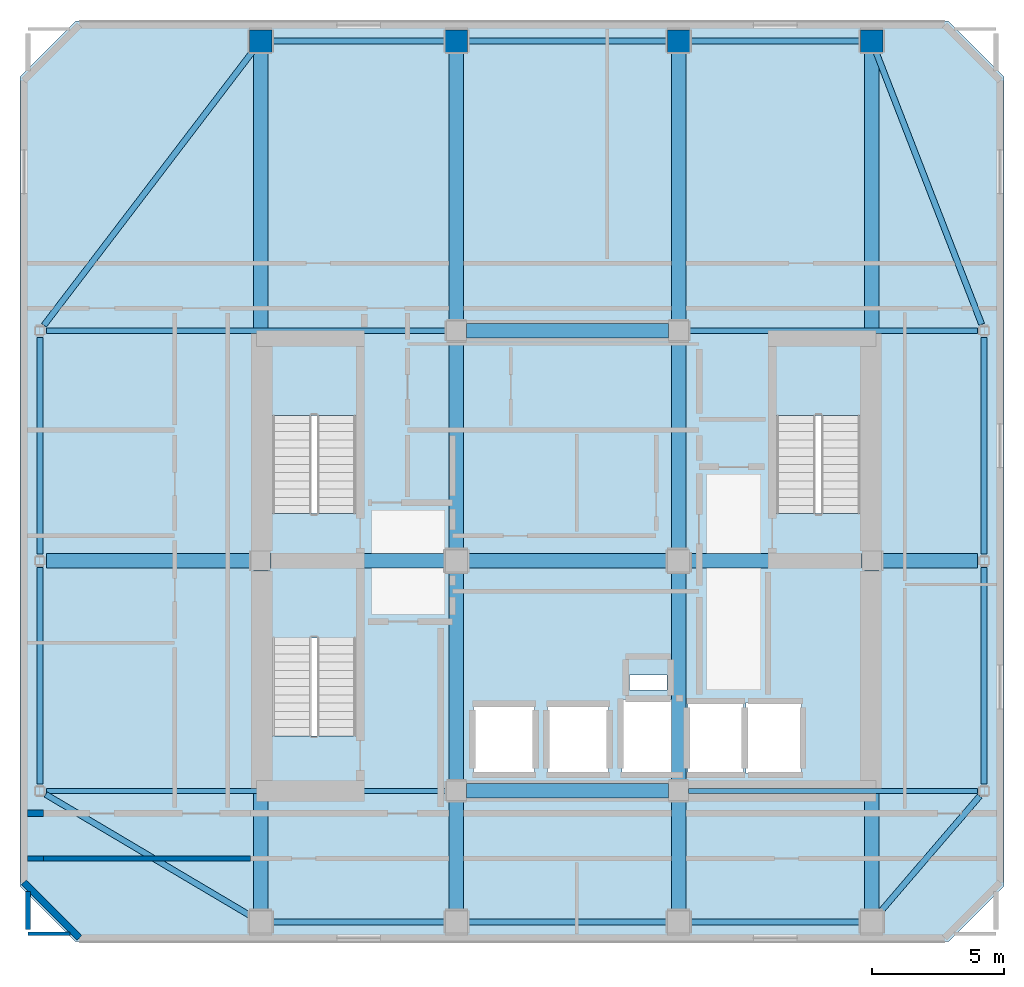
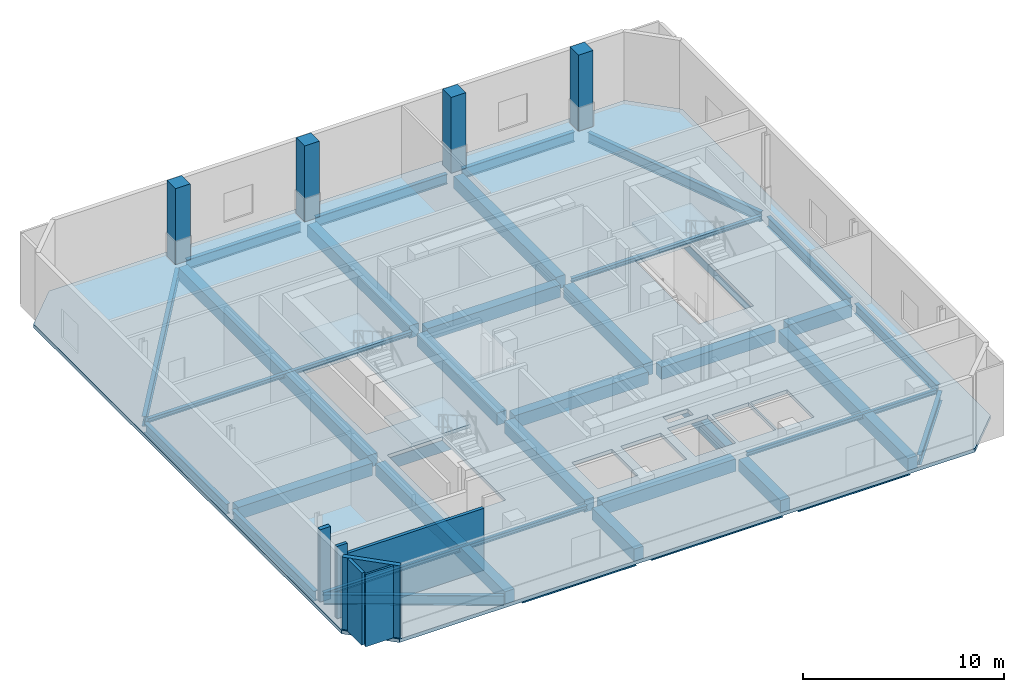
# One storey, part 3 of 10: 37 beams, 6 walls, 4 columns, 4 slabs, 3 elements without a shape of their own.
"""IFC4 building model written with IfcOpenShell, lengths in metres."""

from ifc_helpers import new_model, si_unit, direction, frame, frame_2d, origin, origin_2d, place, context, subcontext, project, spatial, polyline, rectangle, i_section, outline, extrude, material, layer, layer_set, material_profile, profile_set, type_object, element, aggregate, save


model = new_model("IFC4")

# Units and contexts
model_context = context("Model", 3, precision=1e-05, world=origin(), true_north=direction((0.0, 1.0)))
body_context = subcontext(model_context, "Body", "Model", "MODEL_VIEW")
ifc_project = project(units=[si_unit("LENGTHUNIT", "METRE"), si_unit("AREAUNIT", "SQUARE_METRE"), si_unit("VOLUMEUNIT", "CUBIC_METRE"), si_unit("PLANEANGLEUNIT", "RADIAN"), si_unit("MASSUNIT", "GRAM", prefix="KILO")], contexts=[model_context])

# Site, building, storey
site_placement = place(None, origin())
site = spatial("IfcSite", under=ifc_project, at=site_placement, CompositionType="ELEMENT")
building_placement = place(site_placement, origin())
building = spatial("IfcBuilding", under=site, at=building_placement, Name="Solanera Arch Residences", CompositionType="ELEMENT")
storey_placement = place(building_placement, frame((0.0, 0.0, 268.8798828125)))
storey = spatial("IfcBuildingStorey", under=building, at=storey_placement, Name="L78", CompositionType="ELEMENT", Elevation=268.8798828125)

# Columns
ifc_material_1 = material(Name="Concrete C40/50 (f'c = 45 MPa)", Category="concrete")
ifc_material_profile_1 = material_profile(ifc_material_1, rectangle(XDim=0.85009765625, YDim=0.85009765625, at=origin_2d()))
ifc_profile_set_1 = profile_set([ifc_material_profile_1], Name="Concrete C40/50 (f'c = 45 MPa)")
column_type = type_object("IfcColumnType", Name="Structural Column RC-COL-850X850", PredefinedType="COLUMN", material=ifc_profile_set_1)
for number, where, z_axis, x_axis, name in (
    (1, (13.39990234375, 50.35009765625, 0.0), (0.0, 0.0, 1.0), (1.0, 0.0, 0.0), "COL-L78-TWR-02"),
    (2, (20.800048828125, 50.35009765625, 0.0), (0.0, 0.0, 1.0), (1.0, 0.0, 0.0), "COL-L78-TWR-04"),
    (3, (29.199951171875, 50.35009765625, 0.0), (0.0, 0.0, 1.0), (1.0, 0.0, 0.0), "COL-L78-TWR-06"),
    (4, (36.5, 50.35009765625, 0.0), (0.0, 0.0, 1.0), (1.0, 0.0, 0.0), "COL-L78-TWR-08"),
):
    element("IfcColumn", number, at=place(storey_placement, frame(where, z_axis=z_axis, x_axis=x_axis)), inside=storey, type_object=column_type, Name=name, PredefinedType="COLUMN", context=body_context, shape_type="SweptSolid", body=[
        extrude(rectangle(XDim=0.85009765625, YDim=0.85009765625, at=origin_2d()), origin(), (0.0, 0.0, 1.0), 4.60009765625),
    ])

# Beams
ifc_material_2 = material(Name="Concrete C40/50 (f'c = 45 MPa)", Category="concrete")
ifc_material_profile_2 = material_profile(ifc_material_2, rectangle(XDim=0.550048828125, YDim=0.75, at=origin_2d()))
ifc_profile_set_2 = profile_set([ifc_material_profile_2], Name="Concrete C40/50 (f'c = 45 MPa)")
beam_type_1 = type_object("IfcBeamType", Name="Primary Beam RC-BM-550X750", PredefinedType="BEAM", material=ifc_profile_set_2)
beam_1_placement = place(storey_placement, frame((20.800048828125, 22.37890625, -0.594970703125), z_axis=(0.0, 1.0, 0.0), x_axis=(-1.0, 0.0, 0.0)))
element("IfcBeam", 5, at=beam_1_placement, inside=storey, type_object=beam_type_1, Name="BM-L78-CC-S-208", PredefinedType="BEAM", context=body_context, shape_type="SweptSolid", body=[
    extrude(rectangle(XDim=0.550048828125, YDim=0.75, at=origin_2d()), origin(), (0.0, 0.0, 1.0), 7.942138671875),
])
beam_2_placement = place(storey_placement, frame((20.800048828125, 31.0791015625, -0.594970703125), z_axis=(0.0, 1.0, 0.0), x_axis=(-1.0, 0.0, 0.0)))
element("IfcBeam", 6, at=beam_2_placement, inside=storey, type_object=beam_type_1, Name="BM-L78-CC-N-208", PredefinedType="BEAM", context=body_context, shape_type="SweptSolid", body=[
    extrude(rectangle(XDim=0.550048828125, YDim=0.75, at=origin_2d()), origin(), (0.0, 0.0, 1.0), 7.94189453125),
])
beam_3_placement = place(storey_placement, frame((29.199951171875, 22.37890625, -0.594970703125), z_axis=(0.0, 1.0, 0.0), x_axis=(-1.0, 0.0, 0.0)))
element("IfcBeam", 7, at=beam_3_placement, inside=storey, type_object=beam_type_1, Name="BM-L78-CC-S-292", PredefinedType="BEAM", context=body_context, shape_type="SweptSolid", body=[
    extrude(rectangle(XDim=0.550048828125, YDim=0.75, at=origin_2d()), origin(), (0.0, 0.0, 1.0), 7.942138671875),
])
beam_4_placement = place(storey_placement, frame((29.199951171875, 31.0791015625, -0.594970703125), z_axis=(0.0, 1.0, 0.0), x_axis=(-1.0, 0.0, 0.0)))
element("IfcBeam", 8, at=beam_4_placement, inside=storey, type_object=beam_type_1, Name="BM-L78-CC-N-292", PredefinedType="BEAM", context=body_context, shape_type="SweptSolid", body=[
    extrude(rectangle(XDim=0.550048828125, YDim=0.75, at=origin_2d()), origin(), (0.0, 0.0, 1.0), 7.94189453125),
])
for number, where, z_axis, x_axis, name in (
    (9, (21.178955078125, 22.0, -0.594970703125), (1.0, 0.0, 0.0), (0.0, 1.0, 0.0), "BM-L78-CC-M-220"),
    (10, (21.178955078125, 30.699951171875, -0.594970703125), (1.0, 0.0, 0.0), (0.0, 1.0, 0.0), "BM-L78-CC-M-307"),
    (11, (21.178955078125, 39.39990234375, -0.594970703125), (1.0, 0.0, 0.0), (0.0, 1.0, 0.0), "BM-L78-CC-M-394"),
):
    element("IfcBeam", number, at=place(storey_placement, frame(where, z_axis=z_axis, x_axis=x_axis)), inside=storey, type_object=beam_type_1, Name=name, PredefinedType="BEAM", context=body_context, shape_type="SweptSolid", body=[
        extrude(rectangle(XDim=0.550048828125, YDim=0.75, at=origin_2d()), origin(), (0.0, 0.0, 1.0), 7.64208984375),
    ])
beam_5_placement = place(storey_placement, frame((13.779052734375, 30.699951171875, -0.594970703125), z_axis=(1.0, 0.0, 0.0), x_axis=(0.0, 1.0, 0.0)))
element("IfcBeam", 12, at=beam_5_placement, inside=storey, type_object=beam_type_1, Name="BM-L78-CC-W", PredefinedType="BEAM", context=body_context, shape_type="SweptSolid", body=[
    extrude(rectangle(XDim=0.550048828125, YDim=0.75, at=origin_2d()), origin(), (0.0, 0.0, 1.0), 6.641845703125),
])
beam_6_placement = place(storey_placement, frame((29.5791015625, 30.699951171875, -0.594970703125), z_axis=(1.0, 0.0, 0.0), x_axis=(0.0, 1.0, 0.0)))
element("IfcBeam", 13, at=beam_6_placement, inside=storey, type_object=beam_type_1, Name="BM-L78-CC-E", PredefinedType="BEAM", context=body_context, shape_type="SweptSolid", body=[
    extrude(rectangle(XDim=0.550048828125, YDim=0.75, at=origin_2d()), origin(), (0.0, 0.0, 1.0), 6.5419921875),
])
beam_7_placement = place(storey_placement, frame((20.800048828125, 17.47900390625, -0.594970703125), z_axis=(0.0, 1.0, 0.0), x_axis=(-1.0, 0.0, 0.0)))
element("IfcBeam", 14, at=beam_7_placement, inside=storey, type_object=beam_type_1, Name="BM-L78-RAD-S-208", PredefinedType="BEAM", context=body_context, shape_type="SweptSolid", body=[
    extrude(rectangle(XDim=0.550048828125, YDim=0.75, at=origin_2d()), origin(), (0.0, 0.0, 1.0), 4.14208984375),
])
beam_8_placement = place(storey_placement, frame((20.800048828125, 39.779052734375, -0.594970703125), z_axis=(0.0, 1.0, 0.0), x_axis=(-1.0, 0.0, 0.0)))
element("IfcBeam", 15, at=beam_8_placement, inside=storey, type_object=beam_type_1, Name="BM-L78-RAD-N-208", PredefinedType="BEAM", context=body_context, shape_type="SweptSolid", body=[
    extrude(rectangle(XDim=0.550048828125, YDim=0.75, at=origin_2d()), origin(), (0.0, 0.0, 1.0), 10.141845703125),
])
beam_9_placement = place(storey_placement, frame((29.199951171875, 17.47900390625, -0.594970703125), z_axis=(0.0, 1.0, 0.0), x_axis=(-1.0, 0.0, 0.0)))
element("IfcBeam", 16, at=beam_9_placement, inside=storey, type_object=beam_type_1, Name="BM-L78-RAD-S-292", PredefinedType="BEAM", context=body_context, shape_type="SweptSolid", body=[
    extrude(rectangle(XDim=0.550048828125, YDim=0.75, at=origin_2d()), origin(), (0.0, 0.0, 1.0), 4.14208984375),
])
beam_10_placement = place(storey_placement, frame((29.199951171875, 39.779052734375, -0.594970703125), z_axis=(0.0, 1.0, 0.0), x_axis=(-1.0, 0.0, 0.0)))
element("IfcBeam", 17, at=beam_10_placement, inside=storey, type_object=beam_type_1, Name="BM-L78-RAD-N-292", PredefinedType="BEAM", context=body_context, shape_type="SweptSolid", body=[
    extrude(rectangle(XDim=0.550048828125, YDim=0.75, at=origin_2d()), origin(), (0.0, 0.0, 1.0), 10.141845703125),
])
beam_11_placement = place(storey_placement, frame((13.39990234375, 17.47900390625, -0.594970703125), z_axis=(0.0, 1.0, 0.0), x_axis=(-1.0, 0.0, 0.0)))
element("IfcBeam", 18, at=beam_11_placement, inside=storey, type_object=beam_type_1, Name="BM-L78-RAD-OS-134", PredefinedType="BEAM", context=body_context, shape_type="SweptSolid", body=[
    extrude(rectangle(XDim=0.550048828125, YDim=0.75, at=origin_2d()), origin(), (0.0, 0.0, 1.0), 12.842041015625),
])
beam_12_placement = place(storey_placement, frame((13.39990234375, 31.0791015625, -0.594970703125), z_axis=(0.0, 1.0, 0.0), x_axis=(-1.0, 0.0, 0.0)))
element("IfcBeam", 19, at=beam_12_placement, inside=storey, type_object=beam_type_1, Name="BM-L78-RAD-ON-134", PredefinedType="BEAM", context=body_context, shape_type="SweptSolid", body=[
    extrude(rectangle(XDim=0.550048828125, YDim=0.75, at=origin_2d()), origin(), (0.0, 0.0, 1.0), 18.841796875),
])
beam_13_placement = place(storey_placement, frame((36.5, 17.47900390625, -0.594970703125), z_axis=(0.0, 1.0, 0.0), x_axis=(-1.0, 0.0, 0.0)))
element("IfcBeam", 20, at=beam_13_placement, inside=storey, type_object=beam_type_1, Name="BM-L78-RAD-OS-365", PredefinedType="BEAM", context=body_context, shape_type="SweptSolid", body=[
    extrude(rectangle(XDim=0.550048828125, YDim=0.75, at=origin_2d()), origin(), (0.0, 0.0, 1.0), 12.842041015625),
])
beam_14_placement = place(storey_placement, frame((36.5, 31.0791015625, -0.594970703125), z_axis=(0.0, 1.0, 0.0), x_axis=(-1.0, 0.0, 0.0)))
element("IfcBeam", 21, at=beam_14_placement, inside=storey, type_object=beam_type_1, Name="BM-L78-RAD-ON-365", PredefinedType="BEAM", context=body_context, shape_type="SweptSolid", body=[
    extrude(rectangle(XDim=0.550048828125, YDim=0.75, at=origin_2d()), origin(), (0.0, 0.0, 1.0), 18.841796875),
])
beam_15_placement = place(storey_placement, frame((5.31005859375, 30.699951171875, -0.594970703125), z_axis=(1.0, 0.0, 0.0), x_axis=(0.0, 1.0, 0.0)))
element("IfcBeam", 22, at=beam_15_placement, inside=storey, type_object=beam_type_1, Name="BM-L78-RAD-MW", PredefinedType="BEAM", context=body_context, shape_type="SweptSolid", body=[
    extrude(rectangle(XDim=0.550048828125, YDim=0.75, at=origin_2d()), origin(), (0.0, 0.0, 1.0), 7.7109375),
])
beam_16_placement = place(storey_placement, frame((36.87890625, 30.699951171875, -0.594970703125), z_axis=(1.0, 0.0, 0.0), x_axis=(0.0, 1.0, 0.0)))
element("IfcBeam", 23, at=beam_16_placement, inside=storey, type_object=beam_type_1, Name="BM-L78-RAD-ME", PredefinedType="BEAM", context=body_context, shape_type="SweptSolid", body=[
    extrude(rectangle(XDim=0.550048828125, YDim=0.75, at=origin_2d()), origin(), (0.0, 0.0, 1.0), 3.611083984375),
])
ifc_material_3 = material(Name="Steel S355 (ASTM A992 / A572 Grade 50)", Category="steel")
ifc_material_profile_3 = material_profile(ifc_material_3, i_section(OverallWidth=0.201904296875, OverallDepth=0.2470703125, WebThickness=0.00732421875, FlangeThickness=0.010986328125, at=origin_2d()))
ifc_profile_set_3 = profile_set([ifc_material_profile_3], Name="Steel S355 (ASTM A992 / A572 Grade 50)")
beam_type_2 = type_object("IfcBeamType", Name="Secondary Joist W250X49.1", PredefinedType="JOIST", material=ifc_profile_set_3)
beam_17_placement = place(storey_placement, frame((5.31005859375, 22.0, -0.3427734375), z_axis=(1.0, 0.0, 0.0), x_axis=(0.0, 1.0, 0.0)))
element("IfcBeam", 24, at=beam_17_placement, inside=storey, type_object=beam_type_2, Name="BM-L78-RAD-W-220", PredefinedType="JOIST", context=body_context, shape_type="SweptSolid", body=[
    extrude(i_section(OverallWidth=0.201904296875, OverallDepth=0.2470703125, WebThickness=0.00732421875, FlangeThickness=0.010986328125, at=origin_2d()), origin(), (0.0, 0.0, 1.0), 15.11083984375),
])
beam_18_placement = place(storey_placement, frame((29.5791015625, 22.0, -0.3427734375), z_axis=(1.0, 0.0, 0.0), x_axis=(0.0, 1.0, 0.0)))
element("IfcBeam", 25, at=beam_18_placement, inside=storey, type_object=beam_type_2, Name="BM-L78-RAD-E-220", PredefinedType="JOIST", context=body_context, shape_type="SweptSolid", body=[
    extrude(i_section(OverallWidth=0.201904296875, OverallDepth=0.2470703125, WebThickness=0.00732421875, FlangeThickness=0.010986328125, at=origin_2d()), origin(), (0.0, 0.0, 1.0), 10.910888671875),
])
beam_19_placement = place(storey_placement, frame((5.31005859375, 39.39990234375, -0.3427734375), z_axis=(1.0, 0.0, 0.0), x_axis=(0.0, 1.0, 0.0)))
element("IfcBeam", 26, at=beam_19_placement, inside=storey, type_object=beam_type_2, Name="BM-L78-RAD-W-394", PredefinedType="JOIST", context=body_context, shape_type="SweptSolid", body=[
    extrude(i_section(OverallWidth=0.201904296875, OverallDepth=0.2470703125, WebThickness=0.00732421875, FlangeThickness=0.010986328125, at=origin_2d()), origin(), (0.0, 0.0, 1.0), 15.11083984375),
])
beam_20_placement = place(storey_placement, frame((29.5791015625, 39.39990234375, -0.3427734375), z_axis=(1.0, 0.0, 0.0), x_axis=(0.0, 1.0, 0.0)))
element("IfcBeam", 27, at=beam_20_placement, inside=storey, type_object=beam_type_2, Name="BM-L78-RAD-E-394", PredefinedType="JOIST", context=body_context, shape_type="SweptSolid", body=[
    extrude(i_section(OverallWidth=0.201904296875, OverallDepth=0.2470703125, WebThickness=0.00732421875, FlangeThickness=0.010986328125, at=origin_2d()), origin(), (0.0, 0.0, 1.0), 10.910888671875),
])
ifc_material_4 = material(Name="Steel S355 (ASTM A992 / A572 Grade 50)", Category="steel")
ifc_material_profile_4 = material_profile(ifc_material_4, i_section(OverallWidth=0.22802734375, OverallDepth=0.60791015625, WebThickness=0.01123046875, FlangeThickness=0.017333984375, at=origin_2d()))
ifc_profile_set_4 = profile_set([ifc_material_profile_4], Name="Steel S355 (ASTM A992 / A572 Grade 50)")
beam_type_3 = type_object("IfcBeamType", Name="Spandrel Beam W610X113", PredefinedType="SPANDREL", material=ifc_profile_set_4)
for number, where, z_axis, x_axis, name in (
    (28, (13.8291015625, 17.050048828125, -0.52392578125), (1.0, 0.0, 0.0), (0.0, 1.0, 0.0), "BM-L78-SPN-S-1"),
    (29, (13.8291015625, 50.35009765625, -0.52392578125), (1.0, 0.0, 0.0), (0.0, 1.0, 0.0), "BM-L78-SPN-N-1"),
):
    element("IfcBeam", number, at=place(storey_placement, frame(where, z_axis=z_axis, x_axis=x_axis)), inside=storey, type_object=beam_type_3, Name=name, PredefinedType="SPANDREL", context=body_context, shape_type="SweptSolid", body=[
        extrude(i_section(OverallWidth=0.22802734375, OverallDepth=0.60791015625, WebThickness=0.01123046875, FlangeThickness=0.017333984375, at=origin_2d()), origin(), (0.0, 0.0, 1.0), 6.5419921875),
    ])
for number, where, z_axis, x_axis, name in (
    (30, (21.22900390625, 17.050048828125, -0.52392578125), (1.0, 0.0, 0.0), (0.0, 1.0, 0.0), "BM-L78-SPN-S-2"),
    (31, (21.22900390625, 50.35009765625, -0.52392578125), (1.0, 0.0, 0.0), (0.0, 1.0, 0.0), "BM-L78-SPN-N-2"),
):
    element("IfcBeam", number, at=place(storey_placement, frame(where, z_axis=z_axis, x_axis=x_axis)), inside=storey, type_object=beam_type_3, Name=name, PredefinedType="SPANDREL", context=body_context, shape_type="SweptSolid", body=[
        extrude(i_section(OverallWidth=0.22802734375, OverallDepth=0.60791015625, WebThickness=0.01123046875, FlangeThickness=0.017333984375, at=origin_2d()), origin(), (0.0, 0.0, 1.0), 7.5419921875),
    ])
for number, where, z_axis, x_axis, name in (
    (32, (29.62890625, 17.050048828125, -0.52392578125), (1.0, 0.0, 0.0), (0.0, 1.0, 0.0), "BM-L78-SPN-S-3"),
    (33, (29.62890625, 50.35009765625, -0.52392578125), (1.0, 0.0, 0.0), (0.0, 1.0, 0.0), "BM-L78-SPN-N-3"),
):
    element("IfcBeam", number, at=place(storey_placement, frame(where, z_axis=z_axis, x_axis=x_axis)), inside=storey, type_object=beam_type_3, Name=name, PredefinedType="SPANDREL", context=body_context, shape_type="SweptSolid", body=[
        extrude(i_section(OverallWidth=0.22802734375, OverallDepth=0.60791015625, WebThickness=0.01123046875, FlangeThickness=0.017333984375, at=origin_2d()), origin(), (0.0, 0.0, 1.0), 6.442138671875),
    ])
for number, where, z_axis, x_axis, name in (
    (34, (5.050048828125, 22.260009765625, -0.52392578125), (0.0, 1.0, 0.0), (-1.0, 0.0, 0.0), "BM-L78-SPN-W-1"),
    (35, (40.75, 22.260009765625, -0.52392578125), (0.0, 1.0, 0.0), (-1.0, 0.0, 0.0), "BM-L78-SPN-E-1"),
    (36, (5.050048828125, 30.9599609375, -0.52392578125), (0.0, 1.0, 0.0), (-1.0, 0.0, 0.0), "BM-L78-SPN-W-2"),
    (37, (40.75, 30.9599609375, -0.52392578125), (0.0, 1.0, 0.0), (-1.0, 0.0, 0.0), "BM-L78-SPN-E-2"),
):
    element("IfcBeam", number, at=place(storey_placement, frame(where, z_axis=z_axis, x_axis=x_axis)), inside=storey, type_object=beam_type_3, Name=name, PredefinedType="SPANDREL", context=body_context, shape_type="SweptSolid", body=[
        extrude(i_section(OverallWidth=0.22802734375, OverallDepth=0.60791015625, WebThickness=0.01123046875, FlangeThickness=0.017333984375, at=origin_2d()), origin(), (0.0, 0.0, 1.0), 8.179931640625),
    ])
beam_21_placement = place(storey_placement, frame((12.971923828125, 17.303955078125, -0.52392578125), z_axis=(-0.860232144205, 0.509902596657, 0.0), x_axis=(-0.509902596657, -0.860232144205, 0.0)))
element("IfcBeam", 38, at=beam_21_placement, inside=storey, type_object=beam_type_3, Name="BM-L78-SPN-SW", PredefinedType="SPANDREL", context=body_context, shape_type="SweptSolid", body=[
    extrude(i_section(OverallWidth=0.22802734375, OverallDepth=0.60791015625, WebThickness=0.01123046875, FlangeThickness=0.017333984375, at=origin_2d()), origin(), (0.0, 0.0, 1.0), 8.94873046875),
])
beam_22_placement = place(storey_placement, frame((13.072998046875, 49.922119140625, -0.52392578125), z_axis=(-0.606326143544, -0.795216076079, 0.0), x_axis=(0.795216076079, -0.606326143544, 0.0)))
element("IfcBeam", 39, at=beam_22_placement, inside=storey, type_object=beam_type_3, Name="BM-L78-SPN-NW", PredefinedType="SPANDREL", context=body_context, shape_type="SweptSolid", body=[
    extrude(i_section(OverallWidth=0.22802734375, OverallDepth=0.60791015625, WebThickness=0.01123046875, FlangeThickness=0.017333984375, at=origin_2d()), origin(), (0.0, 0.0, 1.0), 12.971435546875),
])
beam_23_placement = place(storey_placement, frame((36.867919921875, 17.47802734375, -0.52392578125), z_axis=(0.651401364712, 0.758733327363, 0.0), x_axis=(-0.758733327363, 0.651401364712, 0.0)))
element("IfcBeam", 40, at=beam_23_placement, inside=storey, type_object=beam_type_3, Name="BM-L78-SPN-SE", PredefinedType="SPANDREL", context=body_context, shape_type="SweptSolid", body=[
    extrude(i_section(OverallWidth=0.22802734375, OverallDepth=0.60791015625, WebThickness=0.01123046875, FlangeThickness=0.017333984375, at=origin_2d()), origin(), (0.0, 0.0, 1.0), 5.7001953125),
])
beam_24_placement = place(storey_placement, frame((36.666015625, 49.9208984375, -0.52392578125), z_axis=(0.361869189773, -0.932228882568, 0.0), x_axis=(0.932228882568, 0.361869189773, 0.0)))
element("IfcBeam", 41, at=beam_24_placement, inside=storey, type_object=beam_type_3, Name="BM-L78-SPN-NE", PredefinedType="SPANDREL", context=body_context, shape_type="SweptSolid", body=[
    extrude(i_section(OverallWidth=0.22802734375, OverallDepth=0.60791015625, WebThickness=0.01123046875, FlangeThickness=0.017333984375, at=origin_2d()), origin(), (0.0, 0.0, 1.0), 11.026123046875),
])

# Stair, slab
ifc_material_5 = material(Name="Concrete C40/50 (f'c = 45 MPa)", Category="concrete")
stair_type = type_object("IfcStairType", Name="Tower Dogleg Exit Stair 1480", PredefinedType="HALF_TURN_STAIR", material=ifc_material_5)
stair_1_placement = place(storey_placement, origin())
stair_1 = element("IfcStair", 42, at=stair_1_placement, inside=storey, type_object=stair_type, Name="L78 Tower Core Exit Stair 1", PredefinedType="HALF_TURN_STAIR")
ifc_material_6 = material(Name="Concrete C40/50 (f'c = 45 MPa)", Category="concrete")
ifc_layer_1 = layer(ifc_material_6, 0.199951171875)
ifc_layer_set_1 = layer_set([ifc_layer_1], Name="Concrete C40/50 (f'c = 45 MPa)")
slab_type_1 = type_object("IfcSlabType", Name="Stair Half-Landing Slab 200", PredefinedType="LANDING", material=ifc_layer_set_1)
slab_1_placement = place(storey_placement, frame((0.0, 0.0, 2.10009765625)))
slab_1 = element("IfcSlab", 43, at=slab_1_placement, type_object=slab_type_1, Name="ST-T1 landing 1", PredefinedType="LANDING", context=body_context, shape_type="SweptSolid", body=[
    extrude(outline(polyline([(17.1201171875, 36.18994140625), (17.1201171875, 38.919921875), (13.719970703125, 38.919921875), (13.719970703125, 36.18994140625), (17.1201171875, 36.18994140625)])), origin(), (0.0, 0.0, 1.0), 0.199951171875),
])
aggregate(stair_1, [slab_1])

stair_2_placement = place(storey_placement, origin())
stair_2 = element("IfcStair", 44, at=stair_2_placement, inside=storey, type_object=stair_type, Name="L78 Tower Core Exit Stair 2", PredefinedType="HALF_TURN_STAIR")
slab_2_placement = place(storey_placement, frame((0.0, 0.0, 2.10009765625)))
slab_2 = element("IfcSlab", 45, at=slab_2_placement, type_object=slab_type_1, Name="ST-T2 landing 1", PredefinedType="LANDING", context=body_context, shape_type="SweptSolid", body=[
    extrude(outline(polyline([(36.179931640625, 36.18994140625), (36.179931640625, 38.919921875), (32.780029296875, 38.919921875), (32.780029296875, 36.18994140625), (36.179931640625, 36.18994140625)])), origin(), (0.0, 0.0, 1.0), 0.199951171875),
])
aggregate(stair_2, [slab_2])

stair_3_placement = place(storey_placement, origin())
stair_3 = element("IfcStair", 46, at=stair_3_placement, inside=storey, type_object=stair_type, Name="L78 Tower Core Exit Stair 3", PredefinedType="HALF_TURN_STAIR")
slab_3_placement = place(storey_placement, frame((0.0, 0.0, 2.10009765625)))
slab_3 = element("IfcSlab", 47, at=slab_3_placement, type_object=slab_type_1, Name="ST-T3 landing 1", PredefinedType="LANDING", context=body_context, shape_type="SweptSolid", body=[
    extrude(outline(polyline([(17.1201171875, 27.7900390625), (17.1201171875, 30.52001953125), (13.719970703125, 30.52001953125), (13.719970703125, 27.7900390625), (17.1201171875, 27.7900390625)])), origin(), (0.0, 0.0, 1.0), 0.199951171875),
])
aggregate(stair_3, [slab_3])

# Slab
ifc_material_7 = material(Name="Concrete C40/50 (f'c = 45 MPa)", Category="concrete")
ifc_layer_2 = layer(ifc_material_7, 0.219970703125)
ifc_layer_set_2 = layer_set([ifc_layer_2], Name="Concrete C40/50 (f'c = 45 MPa)")
slab_type_2 = type_object("IfcSlabType", Name="Suspended Floor Slab Post-Tensioned 220", PredefinedType="FLOOR", material=ifc_layer_set_2)
slab_4_placement = place(storey_placement, frame((0.0, 0.0, -0.219970703125)))
element("IfcSlab", 48, at=slab_4_placement, inside=storey, type_object=slab_type_2, Name="L78 Tower Post-Tensioned Floor Slab", PredefinedType="FLOOR", context=body_context, shape_type="SweptSolid", body=[
    extrude(outline(polyline([(6.39990234375, 16.300048828125), (39.39990234375, 16.300048828125), (41.5, 18.39990234375), (41.5, 49.0), (39.39990234375, 51.10009765625), (6.39990234375, 51.10009765625), (4.300048828125, 49.0), (4.300048828125, 18.39990234375), (6.39990234375, 16.300048828125)]), holes=[polyline([(13.840087890625, 32.48291015625), (13.840087890625, 38.800048828125), (17.0, 38.800048828125), (17.0, 32.48291015625), (13.840087890625, 32.48291015625)]), polyline([(32.89990234375, 32.48291015625), (32.89990234375, 38.800048828125), (36.06005859375, 38.800048828125), (36.06005859375, 32.48291015625), (32.89990234375, 32.48291015625)]), polyline([(13.840087890625, 24.0830078125), (13.840087890625, 30.39990234375), (17.0, 30.39990234375), (17.0, 24.0830078125), (13.840087890625, 24.0830078125)]), polyline([(21.449951171875, 25.25), (23.75, 25.25), (23.75, 22.64990234375), (21.449951171875, 22.64990234375), (21.449951171875, 25.25)]), polyline([(24.25, 25.25), (26.550048828125, 25.25), (26.550048828125, 22.64990234375), (24.25, 22.64990234375), (24.25, 25.25)]), polyline([(29.550048828125, 25.35009765625), (31.64990234375, 25.35009765625), (31.64990234375, 22.64990234375), (29.550048828125, 22.64990234375), (29.550048828125, 25.35009765625)]), polyline([(31.75, 25.35009765625), (33.85009765625, 25.35009765625), (33.85009765625, 22.64990234375), (31.75, 22.64990234375), (31.75, 25.35009765625)]), polyline([(27.050048828125, 25.449951171875), (29.35009765625, 25.449951171875), (29.35009765625, 22.64990234375), (27.050048828125, 22.64990234375), (27.050048828125, 25.449951171875)]), polyline([(27.340087890625, 26.3798828125), (28.760009765625, 26.3798828125), (28.760009765625, 25.820068359375), (27.340087890625, 25.820068359375), (27.340087890625, 26.3798828125)])]), origin(), (0.0, 0.0, 1.0), 0.219970703125),
])

# Walls
ifc_material_8 = material(Name="Autoclaved Aerated Concrete Blockwork", Category="masonry")
ifc_layer_3 = layer(ifc_material_8, 0.179931640625)
ifc_layer_set_3 = layer_set([ifc_layer_3], Name="Autoclaved Aerated Concrete Blockwork")
wall_type_1 = type_object("IfcWallType", Name="Corridor Fire Partition 180", PredefinedType="PARTITIONING", material=ifc_layer_set_3)
wall_1_placement = place(storey_placement, frame((4.5869140625, 19.449951171875, 0.0), z_axis=(0.0, 0.0, 1.0), x_axis=(1.0, 0.0, 0.0)))
element("IfcWall", 49, at=wall_1_placement, inside=storey, type_object=wall_type_1, Name="L78 Interior Partition H6 1", PredefinedType="PARTITIONING", context=body_context, shape_type="SweptSolid", body=[
    extrude(rectangle(XDim=0.606201171875, YDim=0.179931640625, at=frame_2d((0.30322265625, 0.0))), origin(), (0.0, 0.0, 1.0), 4.380126953125),
])
wall_2_placement = place(storey_placement, frame((5.193115234375, 19.449951171875, 0.0), z_axis=(0.0, 0.0, 1.0), x_axis=(1.0, 0.0, 0.0)))
element("IfcWall", 50, at=wall_2_placement, inside=storey, type_object=wall_type_1, Name="L78 Interior Partition H6 2", PredefinedType="PARTITIONING", context=body_context, shape_type="SweptSolid", body=[
    extrude(rectangle(XDim=7.81884765625, YDim=0.179931640625, at=frame_2d((3.909423828125, 0.0))), origin(), (0.0, 0.0, 1.0), 3.757080078125),
])
wall_3_placement = place(storey_placement, frame((4.60009765625, 16.758056640625, 0.0), z_axis=(0.0, 0.0, 1.0), x_axis=(0.0, 1.0, 0.0)))
element("IfcWall", 51, at=wall_3_placement, inside=storey, type_object=wall_type_1, Name="L78 Interior Partition V6 1", PredefinedType="PARTITIONING", context=body_context, shape_type="SweptSolid", body=[
    extrude(rectangle(XDim=1.430908203125, YDim=0.179931640625, at=frame_2d((0.71533203125, 0.0))), origin(), (0.0, 0.0, 1.0), 4.380126953125),
])
ifc_material_9 = material(Name="Precast Concrete C35/45", Category="concrete")
ifc_layer_4 = layer(ifc_material_9, 0.260009765625)
ifc_layer_set_4 = layer_set([ifc_layer_4], Name="Precast Concrete C35/45")
wall_type_2 = type_object("IfcWallType", Name="Exterior Wall Precast Masonry-Frame 260", PredefinedType="STANDARD", material=ifc_layer_set_4)
wall_4_placement = place(storey_placement, frame((6.544921875, 16.445068359375, 0.0), z_axis=(0.0, 0.0, 1.0), x_axis=(-0.707106781187, 0.707106781187, 0.0)))
element("IfcWall", 52, at=wall_4_placement, inside=storey, type_object=wall_type_2, Name="L78 Tower Exterior Precast Masonry-Frame Wall CH7", PredefinedType="STANDARD", context=body_context, shape_type="SweptSolid", body=[
    extrude(rectangle(XDim=2.9697265625, YDim=0.260009765625, at=frame_2d((1.48486328125, 0.0))), origin(), (0.0, 0.0, 1.0), 4.380126953125),
])
ifc_material_10 = material(Name="Autoclaved Aerated Concrete Blockwork", Category="masonry")
ifc_layer_5 = layer(ifc_material_10, 0.239990234375)
ifc_layer_set_5 = layer_set([ifc_layer_5], Name="Autoclaved Aerated Concrete Blockwork")
wall_type_3 = type_object("IfcWallType", Name="Shaft Wall Fire-Rated 240", PredefinedType="PARTITIONING", material=ifc_layer_set_5)
wall_5_placement = place(storey_placement, frame((4.5869140625, 21.14990234375, 0.0), z_axis=(0.0, 0.0, 1.0), x_axis=(1.0, 0.0, 0.0)))
element("IfcWall", 53, at=wall_5_placement, inside=storey, type_object=wall_type_3, Name="L78 Interior Partition H1 1", PredefinedType="PARTITIONING", context=body_context, shape_type="SweptSolid", body=[
    extrude(rectangle(XDim=0.606201171875, YDim=0.239990234375, at=frame_2d((0.30322265625, 0.0))), origin(), (0.0, 0.0, 1.0), 4.380126953125),
])
ifc_material_11 = material(Name="Fire-Rated Gypsum Stud Partition", Category="gypsum")
ifc_layer_6 = layer(ifc_material_11, 0.1201171875)
ifc_layer_set_6 = layer_set([ifc_layer_6], Name="Fire-Rated Gypsum Stud Partition")
wall_type_4 = type_object("IfcWallType", Name="Unit Drywall Partition 120", PredefinedType="PARTITIONING", material=ifc_layer_set_6)
wall_6_placement = place(storey_placement, frame((4.60009765625, 16.60009765625, 0.0), z_axis=(0.0, 0.0, 1.0), x_axis=(1.0, 0.0, 0.0)))
element("IfcWall", 54, at=wall_6_placement, inside=storey, type_object=wall_type_4, Name="L78 Interior Partition H16 1", PredefinedType="PARTITIONING", context=body_context, shape_type="SweptSolid", body=[
    extrude(rectangle(XDim=1.5888671875, YDim=0.1201171875, at=frame_2d((0.79443359375, 0.0))), origin(), (0.0, 0.0, 1.0), 4.380126953125),
])

save(model, "model.ifc")
